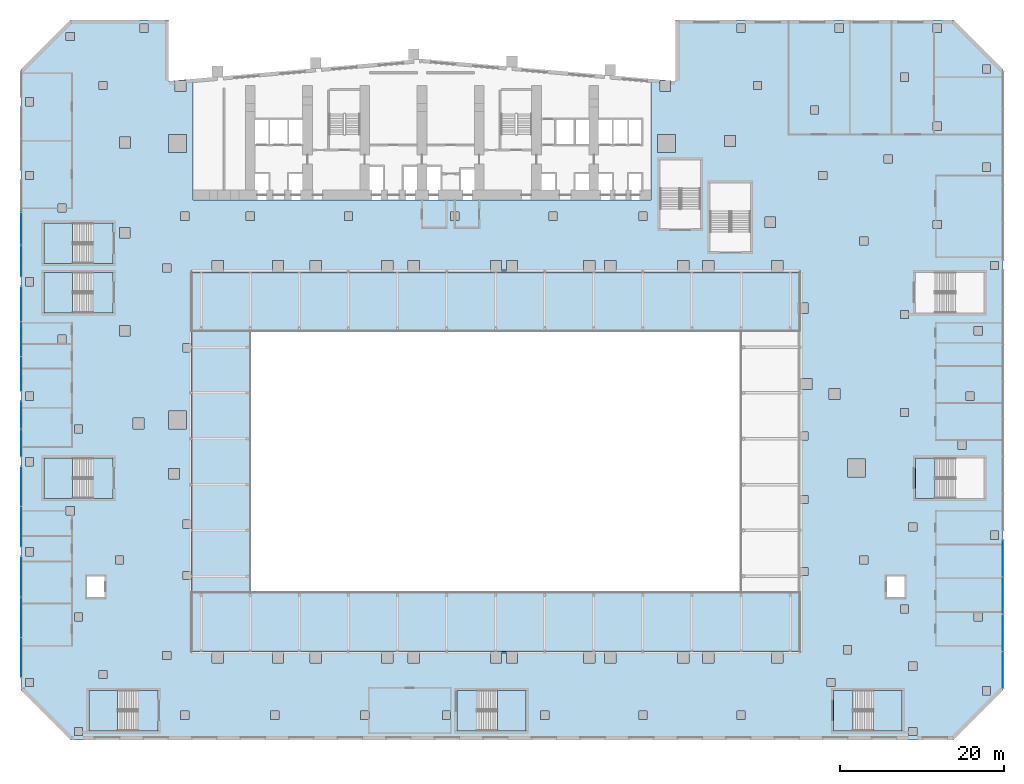
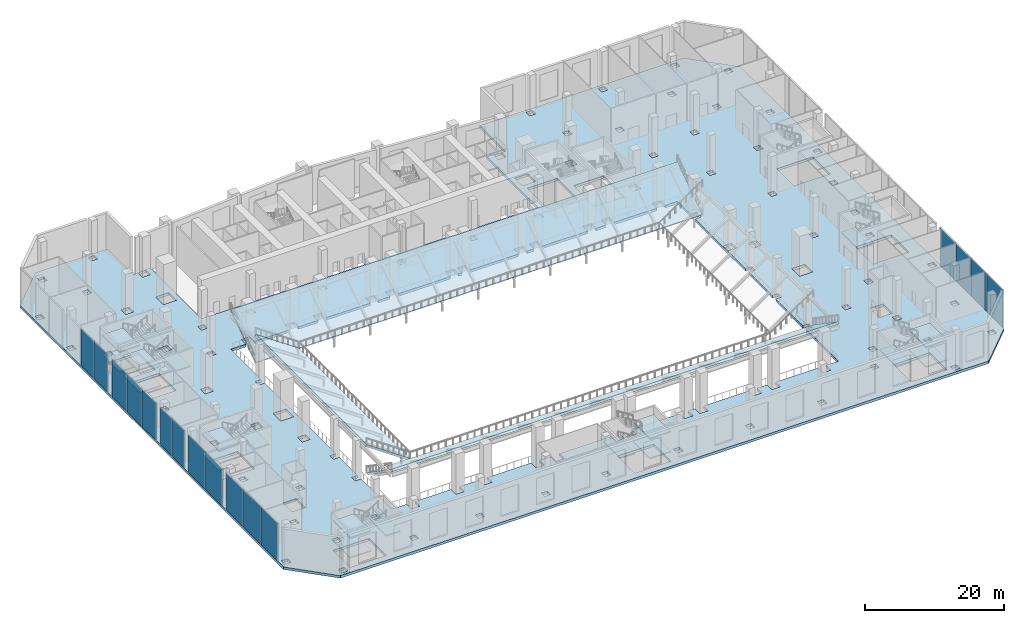
# One storey, part 18 of 41: 23 slabs, 16 plates, 13 elements without a shape of their own.
"""IFC4 building model written with IfcOpenShell, lengths in metres."""

import ifcopenshell
import ifcopenshell.guid

model = None  # the IFC model being written
_history = None  # IfcOwnerHistory: only IFC2X3 demands one
_inside = {}  # id of a spatial element -> (the spatial element, [elements in it])
_under = {}  # id of a project, library or spatial element -> (it, [spatial elements below it])
_declared = {}  # id of a project -> (the project, [libraries it declares])
_typed = {}  # id of a type object -> (the type object, [elements of that type])
_made_of = {}  # id of a material, layer set ... -> (it, [elements and type objects made of it])


def new_model(schema):
    """Start an empty IFC model of exactly this schema.

    Asked for "IFC4X3", IfcOpenShell would pick the latest addendum, in which some entities
    have other attributes; the version numbers below select the first issue.
    IFC2X3 requires an IfcOwnerHistory on every rooted entity: one is made here for all.
    """
    global model, _history
    if schema == "IFC4X3":
        model = ifcopenshell.file(schema_version=(4, 3, 0, 0))
    else:
        model = ifcopenshell.file(schema=schema)
    _inside.clear()
    _under.clear()
    _declared.clear()
    _typed.clear()
    _made_of.clear()
    _history = None
    if model.schema == "IFC2X3":
        org = make("IfcOrganization", Name="unknown")
        user = make(
            "IfcPersonAndOrganization",
            ThePerson=make("IfcPerson", FamilyName="unknown"),
            TheOrganization=org,
        )
        app = make(
            "IfcApplication",
            ApplicationDeveloper=org,
            Version="unknown",
            ApplicationFullName="unknown",
            ApplicationIdentifier="unknown",
        )
        _history = make(
            "IfcOwnerHistory",
            OwningUser=user,
            OwningApplication=app,
            ChangeAction="ADDED",
            CreationDate=0,
        )
    return model


def make(cls, **values):
    """One entity of the class cls with the attributes given. An attribute that is None is left unset."""
    return model.create_entity(
        cls, **{name: value for name, value in values.items() if value is not None}
    )


def rooted(cls, **values):
    """An entity with a GlobalId (a new one), such as an element, a storey or a relation."""
    return make(cls, GlobalId=ifcopenshell.guid.new(), OwnerHistory=_history, **values)


def si_unit(unit_type, name, prefix=None):
    """IfcSIUnit, for example si_unit("LENGTHUNIT", "METRE", prefix="MILLI")."""
    return make("IfcSIUnit", UnitType=unit_type, Prefix=prefix, Name=name)


def assignment(units):
    """IfcUnitAssignment: the units of a project."""
    return None if units is None else make("IfcUnitAssignment", Units=units)


def point(xyz):
    """IfcCartesianPoint."""
    return None if xyz is None else make("IfcCartesianPoint", Coordinates=xyz)


def direction(xyz):
    """IfcDirection."""
    return None if xyz is None else make("IfcDirection", DirectionRatios=xyz)


def frame(location, z_axis=None, x_axis=None):
    """IfcAxis2Placement3D, a coordinate frame: its origin and axes. An axis left out is left unset."""
    return make(
        "IfcAxis2Placement3D",
        Location=point(location),
        Axis=direction(z_axis),
        RefDirection=direction(x_axis),
    )


def frame_2d(location, x_axis=None):
    """IfcAxis2Placement2D, a coordinate frame in the plane: its origin and x axis."""
    return make(
        "IfcAxis2Placement2D", Location=point(location), RefDirection=direction(x_axis)
    )


def origin():
    """The frame at (0, 0, 0) with its axes left unset."""
    return frame((0.0, 0.0, 0.0))


def origin_2d():
    """The frame at (0, 0) in the plane with its x axis left unset."""
    return frame_2d((0.0, 0.0))


def place(relative_to, where):
    """IfcLocalPlacement: puts the frame where relative to a parent placement (None: the world)."""
    return make(
        "IfcLocalPlacement", PlacementRelTo=relative_to, RelativePlacement=where
    )


def context(
    kind, dimensions, precision=None, world=None, true_north=None, identifier=None
):
    """IfcGeometricRepresentationContext, for example the 3D "Model" context."""
    return make(
        "IfcGeometricRepresentationContext",
        ContextIdentifier=identifier,
        ContextType=kind,
        CoordinateSpaceDimension=dimensions,
        Precision=precision,
        WorldCoordinateSystem=world,
        TrueNorth=true_north,
    )


def subcontext(parent, identifier, kind, view, scale=None):
    """IfcGeometricRepresentationSubContext, for example "Body" below "Model"."""
    return make(
        "IfcGeometricRepresentationSubContext",
        ContextIdentifier=identifier,
        ContextType=kind,
        ParentContext=parent,
        TargetScale=scale,
        TargetView=view,
    )


def project(units=None, contexts=None):
    """IfcProject with its units and contexts."""
    return rooted(
        "IfcProject",
        Name="project",
        RepresentationContexts=contexts,
        UnitsInContext=assignment(units),
    )


def spatial(cls, under=None, at=None, **own):
    """A site, building, storey or space (cls), placed at a placement, below another one or the project."""
    s = rooted(cls, ObjectPlacement=at, **own)
    if under is not None:
        _under.setdefault(under.id(), (under, []))[1].append(s)
    return s


def polyline(points):
    """IfcPolyline through the points."""
    return make("IfcPolyline", Points=[point(p) for p in points])


def profile(cls, at=None, kind="AREA", **sizes):
    """A parametric profile (cls). Its sizes go by their IFC names, for example OverallWidth=200.0."""
    return make(cls, ProfileType=kind, Position=at, **sizes)


def rectangle(**sizes):
    """IfcRectangleProfileDef."""
    return profile("IfcRectangleProfileDef", **sizes)


def outline(outer, holes=None, kind="AREA"):
    """IfcArbitraryClosedProfileDef: a profile drawn as a closed curve; with holes, ...WithVoids."""
    if holes is None:
        return make("IfcArbitraryClosedProfileDef", ProfileType=kind, OuterCurve=outer)
    return make(
        "IfcArbitraryProfileDefWithVoids",
        ProfileType=kind,
        OuterCurve=outer,
        InnerCurves=holes,
    )


def extrude(swept, where, along, depth):
    """IfcExtrudedAreaSolid: the profile swept, set in the frame where, extruded along a direction by depth."""
    return make(
        "IfcExtrudedAreaSolid",
        SweptArea=swept,
        Position=where,
        ExtrudedDirection=direction(along),
        Depth=depth,
    )


def shape(context_of_items, identifier, shape_type, items):
    """IfcShapeRepresentation: the items that make up one representation, for example the "Body"."""
    return make(
        "IfcShapeRepresentation",
        ContextOfItems=context_of_items,
        RepresentationIdentifier=identifier,
        RepresentationType=shape_type,
        Items=items,
    )


def material(Name=None, Category=None):
    """IfcMaterial."""
    return make("IfcMaterial", Name=Name, Category=Category)


def layer(
    of_material, thickness, ventilated=None, Name=None, Category=None, Priority=None
):
    """IfcMaterialLayer: one layer of a wall or slab, of a material (None: an air gap)."""
    return make(
        "IfcMaterialLayer",
        Material=of_material,
        LayerThickness=thickness,
        IsVentilated=ventilated,
        Name=Name,
        Category=Category,
        Priority=Priority,
    )


def layer_set(layers, Name=None):
    """IfcMaterialLayerSet."""
    return make("IfcMaterialLayerSet", MaterialLayers=layers, LayerSetName=Name)


def made_of(thing, what):
    """Note that an element or type object is made of a material, layer set ...; save() writes the relation."""
    if what is not None:
        _made_of.setdefault(what.id(), (what, []))[1].append(thing)
    return thing


def type_object(cls, material=None, **own):
    """A type object (cls), such as IfcWallType, which elements share."""
    return made_of(rooted(cls, **own), material)


def element(
    cls,
    number,
    at=None,
    inside=None,
    cuts=None,
    type_object=None,
    material=None,
    context=None,
    identifier="Body",
    shape_type=None,
    held_by="IfcProductDefinitionShape",
    body=None,
    shapes=None,
    **own,
):
    """One element of the class cls, such as IfcWall. Its Tag is "e" and its number.

    at: its placement. inside: the storey or other place that contains it. cuts: it is an
    opening in that element (IfcRelVoidsElement). A single representation is given by context,
    identifier, shape_type and body (its items); several are given by shapes. held_by: the class
    of the entity that holds the representations. save() writes the other relations.
    """
    e = rooted(cls, Tag="e%d" % number, ObjectPlacement=at, **own)
    if body is not None:
        shapes = [shape(context, identifier, shape_type, body)]
    if shapes is not None:
        e.Representation = make(held_by, Representations=shapes)
    if inside is not None:
        _inside.setdefault(inside.id(), (inside, []))[1].append(e)
    if cuts is not None:
        rooted(
            "IfcRelVoidsElement", RelatingBuildingElement=cuts, RelatedOpeningElement=e
        )
    if type_object is not None:
        _typed.setdefault(type_object.id(), (type_object, []))[1].append(e)
    return made_of(e, material)


def aggregate(whole, parts):
    """IfcRelAggregates: a whole, such as a stair, and the parts it consists of."""
    return rooted("IfcRelAggregates", RelatingObject=whole, RelatedObjects=parts)


def save(model, path):
    """Write the relations noted so far, then the file.

    IfcRelAggregates (storeys below a building ...), IfcRelContainedInSpatialStructure (elements
    in a storey), IfcRelDefinesByType, IfcRelAssociatesMaterial and IfcRelDeclares: one each for
    every whole, place, type object, material and project.
    """
    for whole, parts in _under.values():
        aggregate(whole, parts)
    for where, things in _inside.values():
        rooted(
            "IfcRelContainedInSpatialStructure",
            RelatedElements=things,
            RelatingStructure=where,
        )
    for kind, things in _typed.values():
        rooted("IfcRelDefinesByType", RelatedObjects=things, RelatingType=kind)
    for what, things in _made_of.values():
        rooted("IfcRelAssociatesMaterial", RelatedObjects=things, RelatingMaterial=what)
    for by, libraries in _declared.values():
        rooted("IfcRelDeclares", RelatingContext=by, RelatedDefinitions=libraries)
    model.write(path)


model = new_model("IFC4")

# Units and contexts
model_context = context("Model", 3, precision=1e-05, world=origin(), true_north=direction((0.0, 1.0)))
body_context = subcontext(model_context, "Body", "Model", "MODEL_VIEW")
ifc_project = project(units=[si_unit("LENGTHUNIT", "METRE"), si_unit("AREAUNIT", "SQUARE_METRE"), si_unit("VOLUMEUNIT", "CUBIC_METRE"), si_unit("PLANEANGLEUNIT", "RADIAN"), si_unit("MASSUNIT", "GRAM", prefix="KILO")], contexts=[model_context])

# Site, building, storey
site_placement = place(None, origin())
site = spatial("IfcSite", under=ifc_project, at=site_placement, CompositionType="ELEMENT")
building_placement = place(site_placement, origin())
building = spatial("IfcBuilding", under=site, at=building_placement, Name="Wharfspan Tower", CompositionType="ELEMENT")
storey_placement = place(building_placement, frame((0.0, 0.0, 8.0)))
storey = spatial("IfcBuildingStorey", under=building, at=storey_placement, Name="L01", CompositionType="ELEMENT", Elevation=8.0)

# Curtain wall, plates
ifc_material_1 = material(Name="Aluminium 6063-T6", Category="aluminium")
curtain_wall_type = type_object("IfcCurtainWallType", Name="CURTAIN WALL ARENA STICK WALL", PredefinedType="NOTDEFINED", material=ifc_material_1)
curtain_wall_1_placement = place(storey_placement, origin())
curtain_wall_1 = element("IfcCurtainWall", 1, at=curtain_wall_1_placement, inside=storey, type_object=curtain_wall_type, Name="Concourse stick wall PF3.1", PredefinedType="NOTDEFINED")
ifc_material_2 = material(Name="Glass clear laminated double glazing", Category="glass")
ifc_layer_1 = layer(ifc_material_2, 0.040039)
ifc_layer_set_1 = layer_set([ifc_layer_1], Name="Glass clear laminated double glazing")
plate_type = type_object("IfcPlateType", Name="GLASS PANEL ARENA STICK WALL 40", PredefinedType="CURTAIN_PANEL", material=ifc_layer_set_1)
plate_1_placement = place(storey_placement, frame((108.0, -23.45752, 0.0), z_axis=(0.0, 0.0, 1.0), x_axis=(0.0, 1.0, 0.0)))
plate_1 = element("IfcPlate", 2, at=plate_1_placement, type_object=plate_type, Name="Concourse stick wall PF3.1 panel 1", PredefinedType="CURTAIN_PANEL", context=body_context, shape_type="SweptSolid", body=[
    extrude(rectangle(XDim=4.445068, YDim=0.040039, at=origin_2d()), origin(), (0.0, 0.0, 1.0), 6.610107),
])
plate_2_placement = place(storey_placement, frame((108.0, -18.925049, 0.0), z_axis=(0.0, 0.0, 1.0), x_axis=(0.0, 1.0, 0.0)))
plate_2 = element("IfcPlate", 3, at=plate_2_placement, type_object=plate_type, Name="Concourse stick wall PF3.1 panel 2", PredefinedType="CURTAIN_PANEL", context=body_context, shape_type="SweptSolid", body=[
    extrude(rectangle(XDim=4.47998, YDim=0.040039, at=origin_2d()), origin(), (0.0, 0.0, 1.0), 6.610107),
])
plate_3_placement = place(storey_placement, frame((108.0, -14.375, 0.0), z_axis=(0.0, 0.0, 1.0), x_axis=(0.0, 1.0, 0.0)))
plate_3 = element("IfcPlate", 4, at=plate_3_placement, type_object=plate_type, Name="Concourse stick wall PF3.1 panel 3", PredefinedType="CURTAIN_PANEL", context=body_context, shape_type="SweptSolid", body=[
    extrude(rectangle(XDim=4.47998, YDim=0.040039, at=origin_2d()), origin(), (0.0, 0.0, 1.0), 6.610107),
])
plate_4_placement = place(storey_placement, frame((108.0, -9.842529, 0.0), z_axis=(0.0, 0.0, 1.0), x_axis=(0.0, 1.0, 0.0)))
plate_4 = element("IfcPlate", 5, at=plate_4_placement, type_object=plate_type, Name="Concourse stick wall PF3.1 panel 4", PredefinedType="CURTAIN_PANEL", context=body_context, shape_type="SweptSolid", body=[
    extrude(rectangle(XDim=4.445068, YDim=0.040039, at=origin_2d()), origin(), (0.0, 0.0, 1.0), 6.610107),
])
aggregate(curtain_wall_1, [plate_1, plate_2, plate_3, plate_4])

curtain_wall_2_placement = place(storey_placement, origin())
curtain_wall_2 = element("IfcCurtainWall", 6, at=curtain_wall_2_placement, inside=storey, type_object=curtain_wall_type, Name="Concourse stick wall PF12.3", PredefinedType="NOTDEFINED")
plate_5_placement = place(storey_placement, frame((-12.0, 30.5, 0.0), z_axis=(0.0, 0.0, 1.0), x_axis=(0.0, -1.0, 0.0)))
plate_5 = element("IfcPlate", 7, at=plate_5_placement, type_object=plate_type, Name="Concourse stick wall PF12.3 panel 2", PredefinedType="CURTAIN_PANEL", context=body_context, shape_type="SweptSolid", body=[
    extrude(rectangle(XDim=3.896729, YDim=0.040039, at=origin_2d()), origin(), (0.0, 0.0, 1.0), 6.610107),
])
plate_6_placement = place(storey_placement, frame((-12.0, 26.550781, 0.0), z_axis=(0.0, 0.0, 1.0), x_axis=(0.0, -1.0, 0.0)))
plate_6 = element("IfcPlate", 8, at=plate_6_placement, type_object=plate_type, Name="Concourse stick wall PF12.3 panel 3", PredefinedType="CURTAIN_PANEL", context=body_context, shape_type="SweptSolid", body=[
    extrude(rectangle(XDim=3.861572, YDim=0.040039, at=origin_2d()), origin(), (0.0, 0.0, 1.0), 6.610107),
])
aggregate(curtain_wall_2, [plate_5, plate_6])

curtain_wall_3_placement = place(storey_placement, origin())
curtain_wall_3 = element("IfcCurtainWall", 9, at=curtain_wall_3_placement, inside=storey, type_object=curtain_wall_type, Name="Concourse stick wall PF12.4", PredefinedType="NOTDEFINED")
plate_7_placement = place(storey_placement, frame((-12.0, 21.282471, 0.0), z_axis=(0.0, 0.0, 1.0), x_axis=(0.0, -1.0, 0.0)))
plate_7 = element("IfcPlate", 10, at=plate_7_placement, type_object=plate_type, Name="Concourse stick wall PF12.4 panel 1", PredefinedType="CURTAIN_PANEL", context=body_context, shape_type="SweptSolid", body=[
    extrude(rectangle(XDim=4.195068, YDim=0.040039, at=origin_2d()), origin(), (0.0, 0.0, 1.0), 6.610107),
])
plate_8_placement = place(storey_placement, frame((-12.0, 17.0, 0.0), z_axis=(0.0, 0.0, 1.0), x_axis=(0.0, -1.0, 0.0)))
plate_8 = element("IfcPlate", 11, at=plate_8_placement, type_object=plate_type, Name="Concourse stick wall PF12.4 panel 2", PredefinedType="CURTAIN_PANEL", context=body_context, shape_type="SweptSolid", body=[
    extrude(rectangle(XDim=4.22998, YDim=0.040039, at=origin_2d()), origin(), (0.0, 0.0, 1.0), 6.610107),
])
plate_9_placement = place(storey_placement, frame((-12.0, 12.717529, 0.0), z_axis=(0.0, 0.0, 1.0), x_axis=(0.0, -1.0, 0.0)))
plate_9 = element("IfcPlate", 12, at=plate_9_placement, type_object=plate_type, Name="Concourse stick wall PF12.4 panel 3", PredefinedType="CURTAIN_PANEL", context=body_context, shape_type="SweptSolid", body=[
    extrude(rectangle(XDim=4.195068, YDim=0.040039, at=origin_2d()), origin(), (0.0, 0.0, 1.0), 6.610107),
])
aggregate(curtain_wall_3, [plate_7, plate_8, plate_9])

curtain_wall_4_placement = place(storey_placement, origin())
curtain_wall_4 = element("IfcCurtainWall", 13, at=curtain_wall_4_placement, inside=storey, type_object=curtain_wall_type, Name="Concourse stick wall PF12.5", PredefinedType="NOTDEFINED")
plate_10_placement = place(storey_placement, frame((-12.0, 7.70752, 0.0), z_axis=(0.0, 0.0, 1.0), x_axis=(0.0, -1.0, 0.0)))
plate_10 = element("IfcPlate", 14, at=plate_10_placement, type_object=plate_type, Name="Concourse stick wall PF12.5 panel 1", PredefinedType="CURTAIN_PANEL", context=body_context, shape_type="SweptSolid", body=[
    extrude(rectangle(XDim=3.344971, YDim=0.040039, at=origin_2d()), origin(), (0.0, 0.0, 1.0), 6.610107),
])
plate_11_placement = place(storey_placement, frame((-12.0, 4.29248, 0.0), z_axis=(0.0, 0.0, 1.0), x_axis=(0.0, -1.0, 0.0)))
plate_11 = element("IfcPlate", 15, at=plate_11_placement, type_object=plate_type, Name="Concourse stick wall PF12.5 panel 2", PredefinedType="CURTAIN_PANEL", context=body_context, shape_type="SweptSolid", body=[
    extrude(rectangle(XDim=3.344971, YDim=0.040039, at=origin_2d()), origin(), (0.0, 0.0, 1.0), 6.610107),
])
aggregate(curtain_wall_4, [plate_10, plate_11])

curtain_wall_5_placement = place(storey_placement, origin())
curtain_wall_5 = element("IfcCurtainWall", 16, at=curtain_wall_5_placement, inside=storey, type_object=curtain_wall_type, Name="Concourse stick wall PF12.6", PredefinedType="NOTDEFINED")
plate_12_placement = place(storey_placement, frame((-12.0, -1.04248, 0.0), z_axis=(0.0, 0.0, 1.0), x_axis=(0.0, -1.0, 0.0)))
plate_12 = element("IfcPlate", 17, at=plate_12_placement, type_object=plate_type, Name="Concourse stick wall PF12.6 panel 1", PredefinedType="CURTAIN_PANEL", context=body_context, shape_type="SweptSolid", body=[
    extrude(rectangle(XDim=4.844971, YDim=0.040039, at=origin_2d()), origin(), (0.0, 0.0, 1.0), 6.610107),
])
plate_13_placement = place(storey_placement, frame((-12.0, -5.95752, 0.0), z_axis=(0.0, 0.0, 1.0), x_axis=(0.0, -1.0, 0.0)))
plate_13 = element("IfcPlate", 18, at=plate_13_placement, type_object=plate_type, Name="Concourse stick wall PF12.6 panel 2", PredefinedType="CURTAIN_PANEL", context=body_context, shape_type="SweptSolid", body=[
    extrude(rectangle(XDim=4.844971, YDim=0.040039, at=origin_2d()), origin(), (0.0, 0.0, 1.0), 6.610107),
])
aggregate(curtain_wall_5, [plate_12, plate_13])

curtain_wall_6_placement = place(storey_placement, origin())
curtain_wall_6 = element("IfcCurtainWall", 19, at=curtain_wall_6_placement, inside=storey, type_object=curtain_wall_type, Name="Concourse stick wall PF12.7", PredefinedType="NOTDEFINED")
plate_14_placement = place(storey_placement, frame((-12.0, -12.050781, 0.0), z_axis=(0.0, 0.0, 1.0), x_axis=(0.0, -1.0, 0.0)))
plate_14 = element("IfcPlate", 20, at=plate_14_placement, type_object=plate_type, Name="Concourse stick wall PF12.7 panel 1", PredefinedType="CURTAIN_PANEL", context=body_context, shape_type="SweptSolid", body=[
    extrude(rectangle(XDim=4.861572, YDim=0.040039, at=origin_2d()), origin(), (0.0, 0.0, 1.0), 6.610107),
])
plate_15_placement = place(storey_placement, frame((-12.0, -17.0, 0.0), z_axis=(0.0, 0.0, 1.0), x_axis=(0.0, -1.0, 0.0)))
plate_15 = element("IfcPlate", 21, at=plate_15_placement, type_object=plate_type, Name="Concourse stick wall PF12.7 panel 2", PredefinedType="CURTAIN_PANEL", context=body_context, shape_type="SweptSolid", body=[
    extrude(rectangle(XDim=4.896729, YDim=0.040039, at=origin_2d()), origin(), (0.0, 0.0, 1.0), 6.610107),
])
plate_16_placement = place(storey_placement, frame((-12.0, -21.949219, 0.0), z_axis=(0.0, 0.0, 1.0), x_axis=(0.0, -1.0, 0.0)))
plate_16 = element("IfcPlate", 22, at=plate_16_placement, type_object=plate_type, Name="Concourse stick wall PF12.7 panel 3", PredefinedType="CURTAIN_PANEL", context=body_context, shape_type="SweptSolid", body=[
    extrude(rectangle(XDim=4.861572, YDim=0.040039, at=origin_2d()), origin(), (0.0, 0.0, 1.0), 6.610107),
])
aggregate(curtain_wall_6, [plate_14, plate_15, plate_16])

# Slab
ifc_material_3 = material(Name="Concrete C35/45", Category="concrete")
ifc_layer_2 = layer(ifc_material_3, 0.449951)
ifc_layer_set_2 = layer_set([ifc_layer_2], Name="Concrete C35/45")
slab_type_1 = type_object("IfcSlabType", Name="Podium deck 450", PredefinedType="FLOOR", material=ifc_layer_set_2)
slab_1_placement = place(storey_placement, frame((0.0, 0.0, -0.450195)))
element("IfcSlab", 23, at=slab_1_placement, inside=storey, type_object=slab_type_1, Name="Deck L01", PredefinedType="FLOOR", context=body_context, shape_type="SweptSolid", body=[
    extrude(outline(polyline([(6.0, 56.0), (6.0, 48.524902), (12.0, 49.049805), (12.0, 49.049805), (9.0, 48.787354), (9.0, 34.0), (65.0, 34.0), (65.0, 48.787354), (60.0, 49.224854), (60.0, 49.224854), (68.0, 48.524902), (68.0, 56.0), (102.0, 56.0), (108.0, 50.0), (108.0, -26.0), (102.0, -32.0), (-6.0, -32.0), (-12.0, -26.0), (-12.0, 50.0), (-6.0, 56.0), (6.0, 56.0)]), holes=[polyline([(11.300049, -21.199951), (11.300049, -22.600098), (12.699951, -22.600098), (12.699951, -21.199951), (18.690918, -21.199951), (18.690918, -22.600098), (20.091064, -22.600098), (20.091064, -21.199951), (23.300049, -21.199951), (23.300049, -22.600098), (24.699951, -22.600098), (24.699951, -21.199951), (32.023926, -21.199951), (32.023926, -22.600098), (33.424072, -22.600098), (33.424072, -21.199951), (35.300049, -21.199951), (35.300049, -22.600098), (36.699951, -22.600098), (36.699951, -21.199951), (45.342041, -21.199951), (45.342041, -22.600098), (46.741943, -22.600098), (46.741943, -21.199951), (47.300049, -21.199951), (47.300049, -22.600098), (48.699951, -22.600098), (48.699951, -21.199951), (56.741943, -21.199951), (56.741943, -22.600098), (58.14209, -22.600098), (58.14209, -21.199951), (59.300049, -21.199951), (59.300049, -22.600098), (60.699951, -22.600098), (60.699951, -21.199951), (68.241943, -21.199951), (68.241943, -22.600098), (69.64209, -22.600098), (69.64209, -21.199951), (71.300049, -21.199951), (71.300049, -22.600098), (72.699951, -22.600098), (72.699951, -21.199951), (79.741943, -21.199951), (79.741943, -22.600098), (81.14209, -22.600098), (81.14209, -21.199951), (83.199951, -21.199951), (83.199951, -11.919922), (84.199951, -11.919922), (84.199951, -10.919922), (83.199951, -10.919922), (83.199951, -3.139893), (84.199951, -3.139893), (84.199951, -2.139893), (83.199951, -2.139893), (83.199951, 4.639893), (84.199951, 4.639893), (84.199951, 5.639893), (83.199951, 5.639893), (83.199951, 20.108398), (84.166992, 20.108398), (84.166992, 21.428223), (83.199951, 21.428223), (83.199951, 25.199951), (81.14209, 25.199951), (81.14209, 26.600098), (79.741943, 26.600098), (79.741943, 25.199951), (72.699951, 25.199951), (72.699951, 26.600098), (71.300049, 26.600098), (71.300049, 25.199951), (69.64209, 25.199951), (69.64209, 26.600098), (68.241943, 26.600098), (68.241943, 25.199951), (60.699951, 25.199951), (60.699951, 26.600098), (59.300049, 26.600098), (59.300049, 25.199951), (58.14209, 25.199951), (58.14209, 26.600098), (56.741943, 26.600098), (56.741943, 25.199951), (48.699951, 25.199951), (48.699951, 26.600098), (47.300049, 26.600098), (47.300049, 25.199951), (46.741943, 25.199951), (46.741943, 26.600098), (45.342041, 26.600098), (45.342041, 25.199951), (36.699951, 25.199951), (36.699951, 26.600098), (35.300049, 26.600098), (35.300049, 25.199951), (33.424072, 25.199951), (33.424072, 26.600098), (32.023926, 26.600098), (32.023926, 25.199951), (24.699951, 25.199951), (24.699951, 26.600098), (23.300049, 26.600098), (23.300049, 25.199951), (20.091064, 25.199951), (20.091064, 26.600098), (18.690918, 26.600098), (18.690918, 25.199951), (12.699951, 25.199951), (12.699951, 26.600098), (11.300049, 26.600098), (11.300049, 25.199951), (8.800049, 25.199951), (8.800049, 16.419922), (7.800049, 16.419922), (7.800049, 15.419922), (8.800049, 15.419922), (8.800049, -5.139893), (7.800049, -5.139893), (7.800049, -6.139893), (8.800049, -6.139893), (8.800049, -11.419922), (7.800049, -11.419922), (7.800049, -12.419922), (8.800049, -12.419922), (8.800049, -21.199951), (11.300049, -21.199951)]), polyline([(-3.699951, -25.949951), (-3.699951, -30.899902), (2.300049, -30.899902), (2.300049, -25.949951), (-3.699951, -25.949951)]), polyline([(49.699951, -25.949951), (43.699951, -25.949951), (43.699951, -30.899902), (49.699951, -30.899902), (49.699951, -25.949951)]), polyline([(-1.800049, -12.0), (-4.0, -12.0), (-4.0, -14.600098), (-1.800049, -14.600098), (-1.800049, -12.0)]), polyline([(-9.199951, 2.449951), (-9.199951, -2.5), (-3.199951, -2.5), (-3.199951, 2.449951), (-9.199951, 2.449951)]), polyline([(-3.199951, 25.149902), (-9.199951, 25.149902), (-9.199951, 20.199951), (-3.199951, 20.199951), (-3.199951, 25.149902)]), polyline([(-3.199951, 31.175049), (-9.199951, 31.175049), (-9.199951, 26.225098), (-3.199951, 26.225098), (-3.199951, 31.175049)]), polyline([(89.699951, -25.949951), (89.699951, -30.899902), (95.699951, -30.899902), (95.699951, -25.949951), (89.699951, -25.949951)]), polyline([(96.0, -12.0), (93.800049, -12.0), (93.800049, -14.600098), (96.0, -14.600098), (96.0, -12.0)]), polyline([(105.699951, 2.449951), (99.699951, 2.449951), (99.699951, -2.5), (105.699951, -2.5), (105.699951, 2.449951)]), polyline([(99.699951, 25.149902), (99.699951, 20.199951), (105.699951, 20.199951), (105.699951, 25.149902), (99.699951, 25.149902)]), polyline([(77.16748, 36.100098), (72.217529, 36.100098), (72.217529, 30.100098), (77.16748, 30.100098), (77.16748, 36.100098)]), polyline([(71.050049, 38.899902), (66.100098, 38.899902), (66.100098, 32.899902), (71.050049, 32.899902), (71.050049, 38.899902)]), polyline([(-5.5, -31.5), (-4.5, -31.5), (-4.5, -30.5), (-5.5, -30.5), (-5.5, -31.5)]), polyline([(-11.5, -24.5), (-11.5, -25.5), (-10.5, -25.5), (-10.5, -24.5), (-11.5, -24.5)]), polyline([(-2.5, -23.5), (-2.5, -24.5), (-1.5, -24.5), (-1.5, -23.5), (-2.5, -23.5)]), polyline([(5.300049, -21.199951), (5.300049, -22.199951), (6.300049, -22.199951), (6.300049, -21.199951), (5.300049, -21.199951)]), polyline([(-5.5, -16.5), (-5.5, -17.5), (-4.5, -17.5), (-4.5, -16.5), (-5.5, -16.5)]), polyline([(-0.5, -9.5), (-0.5, -10.5), (0.5, -10.5), (0.5, -9.5), (-0.5, -9.5)]), polyline([(-11.5, -8.5), (-11.5, -9.5), (-10.5, -9.5), (-10.5, -8.5), (-11.5, -8.5)]), polyline([(-6.5, -4.5), (-5.5, -4.5), (-5.5, -3.5), (-6.5, -3.5), (-6.5, -4.5)]), polyline([(6.034424, 1.188721), (6.034424, -0.131348), (7.354492, -0.131348), (7.354492, 1.188721), (6.034424, 1.188721)]), polyline([(-11.5, 2.5), (-11.5, 1.5), (-10.5, 1.5), (-10.5, 2.5), (-11.5, 2.5)]), polyline([(-5.5, 6.5), (-5.5, 5.5), (-4.5, 5.5), (-4.5, 6.5), (-5.5, 6.5)]), polyline([(1.671631, 7.327393), (1.671631, 6.007324), (2.991699, 6.007324), (2.991699, 7.327393), (1.671631, 7.327393)]), polyline([(6.0, 8.199951), (6.0, 6.0), (8.199951, 6.0), (8.199951, 8.199951), (6.0, 8.199951)]), polyline([(-11.5, 10.5), (-11.5, 9.5), (-10.5, 9.5), (-10.5, 10.5), (-11.5, 10.5)]), polyline([(-7.5, 16.5), (-6.5, 16.5), (-6.5, 17.5), (-7.5, 17.5), (-7.5, 16.5)]), polyline([(0.0, 18.659912), (0.0, 17.340088), (1.320068, 17.340088), (1.320068, 18.659912), (0.0, 18.659912)]), polyline([(-11.5, 24.5), (-11.5, 23.5), (-10.5, 23.5), (-10.5, 24.5), (-11.5, 24.5)]), polyline([(5.300049, 26.199951), (5.300049, 25.199951), (6.300049, 25.199951), (6.300049, 26.199951), (5.300049, 26.199951)]), polyline([(0.0, 30.659912), (0.0, 29.340088), (1.320068, 29.340088), (1.320068, 30.659912), (0.0, 30.659912)]), polyline([(7.5, 32.5), (7.5, 31.5), (8.5, 31.5), (8.5, 32.5), (7.5, 32.5)]), polyline([(-7.5, 33.5), (-7.5, 32.5), (-6.5, 32.5), (-6.5, 33.5), (-7.5, 33.5)]), polyline([(-11.5, 36.5), (-10.5, 36.5), (-10.5, 37.5), (-11.5, 37.5), (-11.5, 36.5)]), polyline([(6.0, 42.0), (6.0, 39.800049), (8.199951, 39.800049), (8.199951, 42.0), (6.0, 42.0)]), polyline([(0.024902, 41.694092), (0.024902, 40.374268), (1.344727, 40.374268), (1.344727, 41.694092), (0.024902, 41.694092)]), polyline([(-11.5, 46.5), (-11.5, 45.5), (-10.5, 45.5), (-10.5, 46.5), (-11.5, 46.5)]), polyline([(6.806396, 48.59375), (6.806396, 47.273682), (8.126465, 47.273682), (8.126465, 48.59375), (6.806396, 48.59375)]), polyline([(-2.5, 48.5), (-2.5, 47.5), (-1.5, 47.5), (-1.5, 48.5), (-2.5, 48.5)]), polyline([(-6.5, 54.5), (-6.5, 53.5), (-5.5, 53.5), (-5.5, 54.5), (-6.5, 54.5)]), polyline([(2.5, 54.5), (3.5, 54.5), (3.5, 55.5), (2.5, 55.5), (2.5, 54.5)]), polyline([(7.5, -28.5), (7.5, -29.5), (8.5, -29.5), (8.5, -28.5), (7.5, -28.5)]), polyline([(51.5, -28.5), (51.5, -29.5), (52.5, -29.5), (52.5, -28.5), (51.5, -28.5)]), polyline([(39.5, -28.5), (39.5, -29.5), (40.5, -29.5), (40.5, -28.5), (39.5, -28.5)]), polyline([(18.5, -28.5), (18.5, -29.5), (19.5, -29.5), (19.5, -28.5), (18.5, -28.5)]), polyline([(29.5, -28.5), (29.5, -29.5), (30.5, -29.5), (30.5, -28.5), (29.5, -28.5)]), polyline([(27.5, 32.5), (27.5, 31.5), (28.5, 31.5), (28.5, 32.5), (27.5, 32.5)]), polyline([(15.5, 32.5), (15.5, 31.5), (16.5, 31.5), (16.5, 32.5), (15.5, 32.5)]), polyline([(40.5, 32.5), (40.5, 31.5), (41.5, 31.5), (41.5, 32.5), (40.5, 32.5)]), polyline([(75.5, -28.5), (75.5, -29.5), (76.5, -29.5), (76.5, -28.5), (75.5, -28.5)]), polyline([(63.5, -28.5), (63.5, -29.5), (64.5, -29.5), (64.5, -28.5), (63.5, -28.5)]), polyline([(86.5, -24.5), (86.5, -25.5), (87.5, -25.5), (87.5, -24.5), (86.5, -24.5)]), polyline([(83.300049, 12.199951), (83.300049, 10.800049), (84.699951, 10.800049), (84.699951, 12.199951), (83.300049, 12.199951)]), polyline([(78.909424, 31.928223), (78.909424, 30.608398), (80.229492, 30.608398), (80.229492, 31.928223), (78.909424, 31.928223)]), polyline([(52.5, 31.5), (53.5, 31.5), (53.5, 32.5), (52.5, 32.5), (52.5, 31.5)]), polyline([(63.5, 32.5), (63.5, 31.5), (64.5, 31.5), (64.5, 32.5), (63.5, 32.5)]), polyline([(85.5, 37.5), (85.5, 36.5), (86.5, 36.5), (86.5, 37.5), (85.5, 37.5)]), polyline([(65.800049, 42.0), (65.800049, 39.800049), (68.0, 39.800049), (68.0, 42.0), (65.800049, 42.0)]), polyline([(73.974365, 41.856201), (73.974365, 40.536377), (75.294434, 40.536377), (75.294434, 41.856201), (73.974365, 41.856201)]), polyline([(84.5, 45.5), (84.5, 44.5), (85.5, 44.5), (85.5, 45.5), (84.5, 45.5)]), polyline([(66.087646, 48.575195), (66.087646, 47.255371), (67.407715, 47.255371), (67.407715, 48.575195), (66.087646, 48.575195)]), polyline([(77.5, 47.5), (78.5, 47.5), (78.5, 48.5), (77.5, 48.5), (77.5, 47.5)]), polyline([(75.5, 55.5), (75.5, 54.5), (76.5, 54.5), (76.5, 55.5), (75.5, 55.5)]), polyline([(96.5, -30.5), (96.5, -31.5), (97.5, -31.5), (97.5, -30.5), (96.5, -30.5)]), polyline([(105.5, -25.5), (105.5, -26.5), (106.5, -26.5), (106.5, -25.5), (105.5, -25.5)]), polyline([(96.5, -22.5), (96.5, -23.5), (97.5, -23.5), (97.5, -22.5), (96.5, -22.5)]), polyline([(88.5, -20.5), (88.5, -21.5), (89.5, -21.5), (89.5, -20.5), (88.5, -20.5)]), polyline([(104.5, -17.5), (105.5, -17.5), (105.5, -16.5), (104.5, -16.5), (104.5, -17.5)]), polyline([(95.5, -15.5), (95.5, -16.5), (96.5, -16.5), (96.5, -15.5), (95.5, -15.5)]), polyline([(90.5, -9.5), (90.5, -10.5), (91.5, -10.5), (91.5, -9.5), (90.5, -9.5)]), polyline([(106.5, -6.5), (106.5, -7.5), (107.5, -7.5), (107.5, -6.5), (106.5, -6.5)]), polyline([(96.5, -5.5), (96.5, -6.5), (97.5, -6.5), (97.5, -5.5), (96.5, -5.5)]), polyline([(88.996582, 2.299805), (88.996582, 0.099609), (91.196533, 0.099609), (91.196533, 2.299805), (88.996582, 2.299805)]), polyline([(102.5, 4.5), (102.5, 3.5), (103.5, 3.5), (103.5, 4.5), (102.5, 4.5)]), polyline([(95.5, 7.5), (96.5, 7.5), (96.5, 8.5), (95.5, 8.5), (95.5, 7.5)]), polyline([(103.5, 10.5), (103.5, 9.5), (104.5, 9.5), (104.5, 10.5), (103.5, 10.5)]), polyline([(86.784424, 10.928223), (86.784424, 9.608398), (88.104492, 9.608398), (88.104492, 10.928223), (86.784424, 10.928223)]), polyline([(104.5, 18.5), (104.5, 17.5), (105.5, 17.5), (105.5, 18.5), (104.5, 18.5)]), polyline([(95.5, 20.5), (95.5, 19.5), (96.5, 19.5), (96.5, 20.5), (95.5, 20.5)]), polyline([(106.5, 26.5), (106.5, 25.5), (107.5, 25.5), (107.5, 26.5), (106.5, 26.5)]), polyline([(90.5, 29.5), (90.5, 28.5), (91.5, 28.5), (91.5, 29.5), (90.5, 29.5)]), polyline([(99.5, 31.5), (99.5, 30.5), (100.5, 30.5), (100.5, 31.5), (99.5, 31.5)]), polyline([(105.5, 38.5), (105.5, 37.5), (106.5, 37.5), (106.5, 38.5), (105.5, 38.5)]), polyline([(93.5, 39.5), (93.5, 38.5), (94.5, 38.5), (94.5, 39.5), (93.5, 39.5)]), polyline([(99.5, 43.5), (99.5, 42.5), (100.5, 42.5), (100.5, 43.5), (99.5, 43.5)]), polyline([(95.5, 49.5), (95.5, 48.5), (96.5, 48.5), (96.5, 49.5), (95.5, 49.5)]), polyline([(105.5, 50.5), (105.5, 49.5), (106.5, 49.5), (106.5, 50.5), (105.5, 50.5)]), polyline([(99.5, 55.5), (99.5, 54.5), (100.5, 54.5), (100.5, 55.5), (99.5, 55.5)]), polyline([(87.5, 55.5), (87.5, 54.5), (88.5, 54.5), (88.5, 55.5), (87.5, 55.5)])]), origin(), (0.0, 0.0, 1.0), 0.450195),
])

# Stair, slabs
ifc_material_4 = material(Name="Concrete C40/50", Category="concrete")
stair_type = type_object("IfcStairType", Name="Half-turn stair 2400 wide 40 risers 175 mm", PredefinedType="HALF_TURN_STAIR", material=ifc_material_4)
stair_1_placement = place(storey_placement, origin())
stair_1 = element("IfcStair", 24, at=stair_1_placement, inside=storey, type_object=stair_type, Name="L01 stair AS1", PredefinedType="HALF_TURN_STAIR")
ifc_layer_3 = layer(ifc_material_4, 0.199951)
ifc_layer_set_3 = layer_set([ifc_layer_3], Name="Concrete C40/50")
slab_type_2 = type_object("IfcSlabType", Name="Podium stair landing 200", PredefinedType="LANDING", material=ifc_layer_set_3)
slab_2_placement = place(storey_placement, frame((0.0, 0.0, 1.549805)))
slab_2 = element("IfcSlab", 25, at=slab_2_placement, type_object=slab_type_2, Name="AS1 landing 1", PredefinedType="LANDING", context=body_context, shape_type="SweptSolid", body=[
    extrude(outline(polyline([(-0.219971, -25.949951), (-3.699951, -25.949951), (-3.699951, -30.899902), (-0.219971, -30.899902), (-0.219971, -25.949951)])), origin(), (0.0, 0.0, 1.0), 0.200195),
])
slab_3_placement = place(storey_placement, frame((0.0, 0.0, 3.299805)))
slab_3 = element("IfcSlab", 26, at=slab_3_placement, type_object=slab_type_2, Name="AS1 landing 2", PredefinedType="LANDING", context=body_context, shape_type="SweptSolid", body=[
    extrude(outline(polyline([(4.699951, -25.949951), (2.300049, -25.949951), (2.300049, -30.899902), (4.699951, -30.899902), (4.699951, -25.949951)])), origin(), (0.0, 0.0, 1.0), 0.200195),
])
slab_4_placement = place(storey_placement, frame((0.0, 0.0, 5.049805)))
slab_4 = element("IfcSlab", 27, at=slab_4_placement, type_object=slab_type_2, Name="AS1 landing 3", PredefinedType="LANDING", context=body_context, shape_type="SweptSolid", body=[
    extrude(outline(polyline([(-0.219971, -25.949951), (-3.699951, -25.949951), (-3.699951, -30.899902), (-0.219971, -30.899902), (-0.219971, -25.949951)])), origin(), (0.0, 0.0, 1.0), 0.200195),
])
aggregate(stair_1, [slab_2, slab_3, slab_4])

stair_2_placement = place(storey_placement, origin())
stair_2 = element("IfcStair", 28, at=stair_2_placement, inside=storey, type_object=stair_type, Name="L01 stair AS5", PredefinedType="HALF_TURN_STAIR")
slab_5_placement = place(storey_placement, frame((0.0, 0.0, 1.549805)))
slab_5 = element("IfcSlab", 29, at=slab_5_placement, type_object=slab_type_2, Name="AS5 landing 1", PredefinedType="LANDING", context=body_context, shape_type="SweptSolid", body=[
    extrude(outline(polyline([(46.219971, -30.899902), (49.699951, -30.899902), (49.699951, -25.949951), (46.219971, -25.949951), (46.219971, -30.899902)])), origin(), (0.0, 0.0, 1.0), 0.200195),
])
slab_6_placement = place(storey_placement, frame((0.0, 0.0, 3.299805)))
slab_6 = element("IfcSlab", 30, at=slab_6_placement, type_object=slab_type_2, Name="AS5 landing 2", PredefinedType="LANDING", context=body_context, shape_type="SweptSolid", body=[
    extrude(outline(polyline([(41.300049, -30.899902), (43.699951, -30.899902), (43.699951, -25.949951), (41.300049, -25.949951), (41.300049, -30.899902)])), origin(), (0.0, 0.0, 1.0), 0.200195),
])
slab_7_placement = place(storey_placement, frame((0.0, 0.0, 5.049805)))
slab_7 = element("IfcSlab", 31, at=slab_7_placement, type_object=slab_type_2, Name="AS5 landing 3", PredefinedType="LANDING", context=body_context, shape_type="SweptSolid", body=[
    extrude(outline(polyline([(46.219971, -30.899902), (49.699951, -30.899902), (49.699951, -25.949951), (46.219971, -25.949951), (46.219971, -30.899902)])), origin(), (0.0, 0.0, 1.0), 0.200195),
])
aggregate(stair_2, [slab_5, slab_6, slab_7])

stair_3_placement = place(storey_placement, origin())
stair_3 = element("IfcStair", 32, at=stair_3_placement, inside=storey, type_object=stair_type, Name="L01 stair AS2", PredefinedType="HALF_TURN_STAIR")
slab_8_placement = place(storey_placement, frame((0.0, 0.0, 1.549805)))
slab_8 = element("IfcSlab", 33, at=slab_8_placement, type_object=slab_type_2, Name="AS2 landing 1", PredefinedType="LANDING", context=body_context, shape_type="SweptSolid", body=[
    extrude(outline(polyline([(92.219971, -30.899902), (95.699951, -30.899902), (95.699951, -25.949951), (92.219971, -25.949951), (92.219971, -30.899902)])), origin(), (0.0, 0.0, 1.0), 0.200195),
])
slab_9_placement = place(storey_placement, frame((0.0, 0.0, 3.299805)))
slab_9 = element("IfcSlab", 34, at=slab_9_placement, type_object=slab_type_2, Name="AS2 landing 2", PredefinedType="LANDING", context=body_context, shape_type="SweptSolid", body=[
    extrude(outline(polyline([(87.300049, -30.899902), (89.699951, -30.899902), (89.699951, -25.949951), (87.300049, -25.949951), (87.300049, -30.899902)])), origin(), (0.0, 0.0, 1.0), 0.200195),
])
slab_10_placement = place(storey_placement, frame((0.0, 0.0, 5.049805)))
slab_10 = element("IfcSlab", 35, at=slab_10_placement, type_object=slab_type_2, Name="AS2 landing 3", PredefinedType="LANDING", context=body_context, shape_type="SweptSolid", body=[
    extrude(outline(polyline([(92.219971, -30.899902), (95.699951, -30.899902), (95.699951, -25.949951), (92.219971, -25.949951), (92.219971, -30.899902)])), origin(), (0.0, 0.0, 1.0), 0.200195),
])
aggregate(stair_3, [slab_8, slab_9, slab_10])

stair_4_placement = place(storey_placement, origin())
stair_4 = element("IfcStair", 36, at=stair_4_placement, inside=storey, type_object=stair_type, Name="L01 stair AS7", PredefinedType="HALF_TURN_STAIR")
slab_11_placement = place(storey_placement, frame((0.0, 0.0, 1.549805)))
slab_11 = element("IfcSlab", 37, at=slab_11_placement, type_object=slab_type_2, Name="AS7 landing 1", PredefinedType="LANDING", context=body_context, shape_type="SweptSolid", body=[
    extrude(outline(polyline([(-5.719971, 2.449951), (-9.199951, 2.449951), (-9.199951, -2.5), (-5.719971, -2.5), (-5.719971, 2.449951)])), origin(), (0.0, 0.0, 1.0), 0.200195),
])
slab_12_placement = place(storey_placement, frame((0.0, 0.0, 3.299805)))
slab_12 = element("IfcSlab", 38, at=slab_12_placement, type_object=slab_type_2, Name="AS7 landing 2", PredefinedType="LANDING", context=body_context, shape_type="SweptSolid", body=[
    extrude(outline(polyline([(-0.800049, 2.449951), (-3.199951, 2.449951), (-3.199951, -2.5), (-0.800049, -2.5), (-0.800049, 2.449951)])), origin(), (0.0, 0.0, 1.0), 0.200195),
])
slab_13_placement = place(storey_placement, frame((0.0, 0.0, 5.049805)))
slab_13 = element("IfcSlab", 39, at=slab_13_placement, type_object=slab_type_2, Name="AS7 landing 3", PredefinedType="LANDING", context=body_context, shape_type="SweptSolid", body=[
    extrude(outline(polyline([(-5.719971, 2.449951), (-9.199951, 2.449951), (-9.199951, -2.5), (-5.719971, -2.5), (-5.719971, 2.449951)])), origin(), (0.0, 0.0, 1.0), 0.200195),
])
aggregate(stair_4, [slab_11, slab_12, slab_13])

# Stair, slab
stair_5_placement = place(storey_placement, origin())
stair_5 = element("IfcStair", 40, at=stair_5_placement, inside=storey, type_object=stair_type, Name="L01 stair AS8", PredefinedType="HALF_TURN_STAIR")
slab_14_placement = place(storey_placement, frame((0.0, 0.0, 3.299805)))
slab_14 = element("IfcSlab", 41, at=slab_14_placement, type_object=slab_type_2, Name="AS8 landing 2", PredefinedType="LANDING", context=body_context, shape_type="SweptSolid", body=[
    extrude(outline(polyline([(97.300049, -2.5), (99.699951, -2.5), (99.699951, 2.449951), (97.300049, 2.449951), (97.300049, -2.5)])), origin(), (0.0, 0.0, 1.0), 0.200195),
])
aggregate(stair_5, [slab_14])

# Stair, slabs
stair_6_placement = place(storey_placement, origin())
stair_6 = element("IfcStair", 42, at=stair_6_placement, inside=storey, type_object=stair_type, Name="L01 stair AS3", PredefinedType="HALF_TURN_STAIR")
slab_15_placement = place(storey_placement, frame((0.0, 0.0, 1.549805)))
slab_15 = element("IfcSlab", 43, at=slab_15_placement, type_object=slab_type_2, Name="AS3 landing 1", PredefinedType="LANDING", context=body_context, shape_type="SweptSolid", body=[
    extrude(outline(polyline([(-5.719971, 25.149902), (-9.199951, 25.149902), (-9.199951, 20.199951), (-5.719971, 20.199951), (-5.719971, 25.149902)])), origin(), (0.0, 0.0, 1.0), 0.200195),
])
slab_16_placement = place(storey_placement, frame((0.0, 0.0, 3.299805)))
slab_16 = element("IfcSlab", 44, at=slab_16_placement, type_object=slab_type_2, Name="AS3 landing 2", PredefinedType="LANDING", context=body_context, shape_type="SweptSolid", body=[
    extrude(outline(polyline([(-0.800049, 25.149902), (-3.199951, 25.149902), (-3.199951, 20.199951), (-0.800049, 20.199951), (-0.800049, 25.149902)])), origin(), (0.0, 0.0, 1.0), 0.200195),
])
slab_17_placement = place(storey_placement, frame((0.0, 0.0, 5.049805)))
slab_17 = element("IfcSlab", 45, at=slab_17_placement, type_object=slab_type_2, Name="AS3 landing 3", PredefinedType="LANDING", context=body_context, shape_type="SweptSolid", body=[
    extrude(outline(polyline([(-5.719971, 25.149902), (-9.199951, 25.149902), (-9.199951, 20.199951), (-5.719971, 20.199951), (-5.719971, 25.149902)])), origin(), (0.0, 0.0, 1.0), 0.200195),
])
aggregate(stair_6, [slab_15, slab_16, slab_17])

stair_7_placement = place(storey_placement, origin())
stair_7 = element("IfcStair", 46, at=stair_7_placement, inside=storey, type_object=stair_type, Name="L01 stair PS3", PredefinedType="HALF_TURN_STAIR")
slab_18_placement = place(storey_placement, frame((0.0, 0.0, 1.549805)))
slab_18 = element("IfcSlab", 47, at=slab_18_placement, type_object=slab_type_2, Name="PS3 landing 1", PredefinedType="LANDING", context=body_context, shape_type="SweptSolid", body=[
    extrude(outline(polyline([(-5.719971, 31.175049), (-9.199951, 31.175049), (-9.199951, 26.225098), (-5.719971, 26.225098), (-5.719971, 31.175049)])), origin(), (0.0, 0.0, 1.0), 0.200195),
])
slab_19_placement = place(storey_placement, frame((0.0, 0.0, 3.299805)))
slab_19 = element("IfcSlab", 48, at=slab_19_placement, type_object=slab_type_2, Name="PS3 landing 2", PredefinedType="LANDING", context=body_context, shape_type="SweptSolid", body=[
    extrude(outline(polyline([(-0.800049, 31.175049), (-3.199951, 31.175049), (-3.199951, 26.225098), (-0.800049, 26.225098), (-0.800049, 31.175049)])), origin(), (0.0, 0.0, 1.0), 0.200195),
])
slab_20_placement = place(storey_placement, frame((0.0, 0.0, 5.049805)))
slab_20 = element("IfcSlab", 49, at=slab_20_placement, type_object=slab_type_2, Name="PS3 landing 3", PredefinedType="LANDING", context=body_context, shape_type="SweptSolid", body=[
    extrude(outline(polyline([(-5.719971, 31.175049), (-9.199951, 31.175049), (-9.199951, 26.225098), (-5.719971, 26.225098), (-5.719971, 31.175049)])), origin(), (0.0, 0.0, 1.0), 0.200195),
])
aggregate(stair_7, [slab_18, slab_19, slab_20])

# Slabs
ifc_layer_4 = layer(ifc_material_3, 0.37085)
ifc_layer_set_4 = layer_set([ifc_layer_4], Name="Concrete C35/45")
slab_type_3 = type_object("IfcSlabType", Name="Upper tier raked slab 371", PredefinedType="FLOOR", material=ifc_layer_set_4)
for number, where, z_axis, x_axis, name in (
    (50, (8.800049, -21.199951, 7.0), (0.0, 0.566528, 0.824043), (1.0, 0.0, 0.0), "Upper tier raked slab S"),
    (51, (8.800049, 18.0, 2.050049), (0.0, -0.566528, 0.824043), (1.0, 0.0, 0.0), "Upper tier raked slab N"),
):
    element("IfcSlab", number, at=place(storey_placement, frame(where, z_axis=z_axis, x_axis=x_axis)), inside=storey, type_object=slab_type_3, Name=name, PredefinedType="FLOOR", context=body_context, shape_type="SweptSolid", body=[
        extrude(outline(polyline([(0.0, 0.0), (74.399902, 0.0), (74.399902, 8.737352), (0.0, 8.737352), (0.0, 0.0)])), origin(), (0.0, 0.0, -1.0), 0.37085),
    ])
slab_21_placement = place(storey_placement, frame((8.800049, -14.0, 7.0), z_axis=(0.566528, 0.0, 0.824043), x_axis=(0.824043, 0.0, -0.566528)))
element("IfcSlab", 52, at=slab_21_placement, inside=storey, type_object=slab_type_3, Name="Upper tier raked slab W", PredefinedType="FLOOR", context=body_context, shape_type="SweptSolid", body=[
    extrude(outline(polyline([(0.0, 0.0), (8.737352, 0.0), (8.737352, 32.0), (0.0, 32.0), (0.0, 0.0)])), origin(), (0.0, 0.0, -1.0), 0.37085),
])

save(model, "model.ifc")
